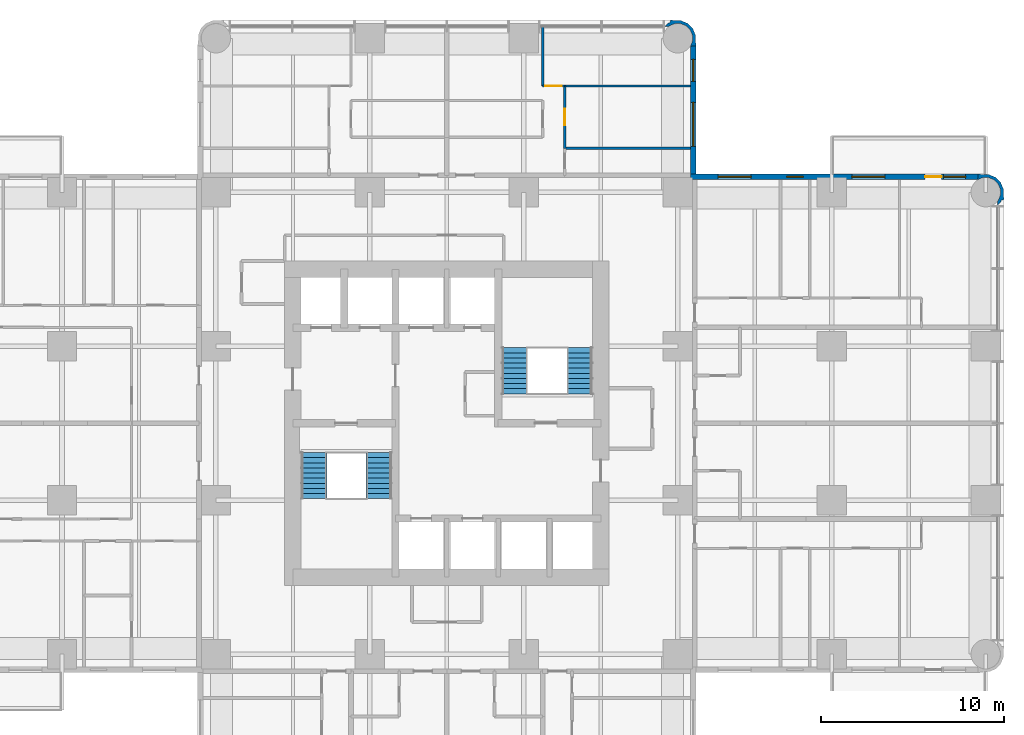
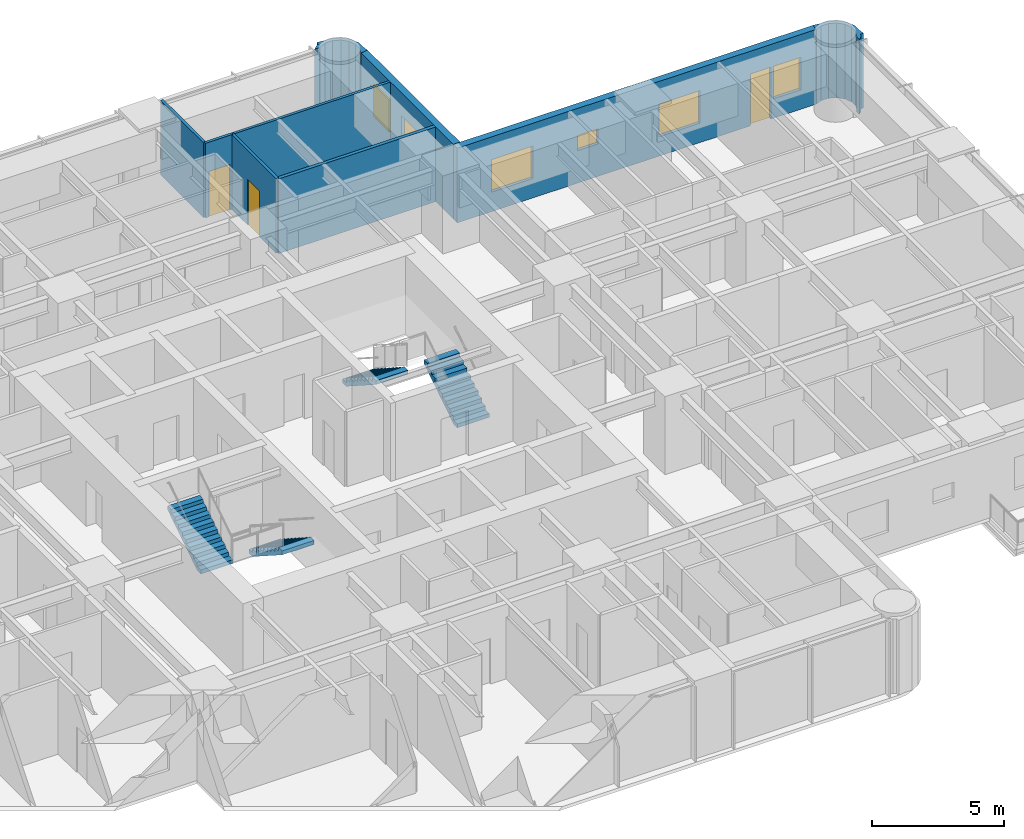
# One storey, part 12 of 14: 9 walls, 6 windows, 4 stair flights, 3 doors, 9 openings, 2 elements without a shape of their own.
"""IFC4 building model written with IfcOpenShell, lengths in metres."""

from ifc_helpers import new_model, si_unit, direction, frame, frame_2d, origin, place, context, subcontext, project, spatial, polyline, rectangle, outline, extrude, material, layer, layer_set, type_object, element, fill, aggregate, save


model = new_model("IFC4")

# Units and contexts
model_context = context("Model", 3, precision=1e-05, world=origin(), true_north=direction((0.0, 1.0)))
body_context = subcontext(model_context, "Body", "Model", "MODEL_VIEW")
ifc_project = project(units=[si_unit("LENGTHUNIT", "METRE"), si_unit("AREAUNIT", "SQUARE_METRE"), si_unit("VOLUMEUNIT", "CUBIC_METRE"), si_unit("PLANEANGLEUNIT", "RADIAN"), si_unit("MASSUNIT", "GRAM", prefix="KILO")], contexts=[model_context])

# Site, building, storey
site_placement = place(None, origin())
site = spatial("IfcSite", under=ifc_project, at=site_placement, CompositionType="ELEMENT")
building_placement = place(site_placement, origin())
building = spatial("IfcBuilding", under=site, at=building_placement, Name="Torre Alcanfor", CompositionType="ELEMENT")
storey_placement = place(building_placement, frame((0.0, 0.0, 155.699951171875)))
storey = spatial("IfcBuildingStorey", under=building, at=storey_placement, Name="L40", CompositionType="ELEMENT", Elevation=155.699951171875)

# Wall, opening, door
ifc_material_1 = material(Name="Gypsum board on steel studs", Category="steel")
ifc_layer_1 = layer(ifc_material_1, 0.1201171875)
ifc_layer_set_1 = layer_set([ifc_layer_1], Name="Apartment partition 120")
wall_type_1 = type_object("IfcWallType", Name="Apartment partition 120", PredefinedType="PARTITIONING", material=ifc_layer_set_1)
wall_1_placement = place(storey_placement, frame((35.8291015625, 47.800048828125, 0.0), z_axis=(0.0, 0.0, 1.0), x_axis=(0.0, -1.0, 0.0)))
wall_1 = element("IfcWall", 1, at=wall_1_placement, inside=storey, type_object=wall_type_1, Name="Partition L40-N2-LIVING / L40-N2-STUDY", PredefinedType="PARTITIONING", context=body_context, shape_type="SweptSolid", body=[
    extrude(rectangle(XDim=3.400146484375, YDim=0.1201171875, at=frame_2d((1.7001953125, 0.0))), origin(), (0.0, 0.0, 1.0), 3.449951171875),
])
opening_1_placement = place(wall_1_placement, frame((1.25, 0.0, 0.0)))
opening_1 = element("IfcOpeningElement", 2, at=opening_1_placement, cuts=wall_1, Name="Opening D-R1", PredefinedType="OPENING", context=body_context, shape_type="SweptSolid", body=[
    extrude(rectangle(XDim=0.89990234375, YDim=2.10009765625, at=frame_2d((0.449951171875, 1.050048828125))), frame((0.0, 0.070068359375, 0.0), z_axis=(0.0, -1.0, 0.0), x_axis=(1.0, 0.0, 0.0)), (0.0, 0.0, 1.0), 0.14013671875),
])
ifc_material_2 = material(Name="Timber", Category="wood")
door_type_1 = type_object("IfcDoorType", Name="Internal door 900x2100", OperationType="SINGLE_SWING_LEFT", PredefinedType="DOOR", material=ifc_material_2)
door_1_placement = place(opening_1_placement, origin())
door_1 = element("IfcDoor", 3, at=door_1_placement, inside=storey, type_object=door_type_1, Name="Door L40-N2 study", OperationType="SINGLE_SWING_LEFT", OverallHeight=2.10009765625, OverallWidth=0.89990234375, PredefinedType="DOOR", context=body_context, shape_type="SweptSolid", body=[
    extrude(rectangle(XDim=0.89990234375, YDim=2.10009765625, at=frame_2d((0.449951171875, 1.050048828125))), frame((0.0, 0.02490234375, 0.0), z_axis=(0.0, -1.0, 0.0), x_axis=(1.0, 0.0, 0.0)), (0.0, 0.0, 1.0), 0.050048828125),
])
fill(opening_1, door_1)

# Wall
wall_2_placement = place(storey_placement, frame((34.62890625, 51.050048828125, 0.0), z_axis=(0.0, 0.0, 1.0), x_axis=(0.0, -1.0, 0.0)))
element("IfcWall", 4, at=wall_2_placement, inside=storey, type_object=wall_type_1, Name="Partition L40-N2-LIVING / L40-N2-MASTER", PredefinedType="PARTITIONING", context=body_context, shape_type="SweptSolid", body=[
    extrude(rectangle(XDim=3.25, YDim=0.1201171875, at=frame_2d((1.625, 0.0))), origin(), (0.0, 0.0, 1.0), 3.449951171875),
])

# Wall, opening, door
wall_3_placement = place(storey_placement, frame((34.62890625, 47.800048828125, 0.0), z_axis=(0.0, 0.0, 1.0), x_axis=(1.0, 0.0, 0.0)))
wall_3 = element("IfcWall", 5, at=wall_3_placement, inside=storey, type_object=wall_type_1, Name="Partition L40-N2-LIVING / L40-N2-MASTER", PredefinedType="PARTITIONING", context=body_context, shape_type="SweptSolid", body=[
    extrude(rectangle(XDim=1.2001953125, YDim=0.1201171875, at=frame_2d((0.60009765625, 0.0))), origin(), (0.0, 0.0, 1.0), 3.449951171875),
])
opening_2_placement = place(wall_3_placement, frame((0.15087890625, 0.0, 0.0)))
opening_2 = element("IfcOpeningElement", 6, at=opening_2_placement, cuts=wall_3, Name="Opening D-R1", PredefinedType="OPENING", context=body_context, shape_type="SweptSolid", body=[
    extrude(rectangle(XDim=0.89990234375, YDim=2.10009765625, at=frame_2d((0.449951171875, 1.050048828125))), frame((0.0, 0.070068359375, 0.0), z_axis=(0.0, -1.0, 0.0), x_axis=(1.0, 0.0, 0.0)), (0.0, 0.0, 1.0), 0.14013671875),
])
door_2_placement = place(opening_2_placement, origin())
door_2 = element("IfcDoor", 7, at=door_2_placement, inside=storey, type_object=door_type_1, Name="Door L40-N2 master", OperationType="SINGLE_SWING_LEFT", OverallHeight=2.10009765625, OverallWidth=0.89990234375, PredefinedType="DOOR", context=body_context, shape_type="SweptSolid", body=[
    extrude(rectangle(XDim=0.89990234375, YDim=2.10009765625, at=frame_2d((0.449951171875, 1.050048828125))), frame((0.0, 0.02490234375, 0.0), z_axis=(0.0, -1.0, 0.0), x_axis=(1.0, 0.0, 0.0)), (0.0, 0.0, 1.0), 0.050048828125),
])
fill(opening_2, door_2)

# Wall
wall_4_placement = place(storey_placement, frame((35.8291015625, 47.800048828125, 0.0), z_axis=(0.0, 0.0, 1.0), x_axis=(1.0, 0.0, 0.0)))
element("IfcWall", 8, at=wall_4_placement, inside=storey, type_object=wall_type_1, Name="Partition L40-N2-STUDY / L40-N2-MASTER", PredefinedType="PARTITIONING", context=body_context, shape_type="SweptSolid", body=[
    extrude(rectangle(XDim=6.870849609375, YDim=0.1201171875, at=frame_2d((3.435546875, 0.0))), origin(), (0.0, 0.0, 1.0), 3.449951171875),
])

# Wall, openings, door, windows
ifc_material_3 = material(Name="Limestone cladding", Category="masonry")
ifc_layer_2 = layer(ifc_material_3, 0.0400390625, Name="Facing")
ifc_material_4 = material(Name="Ventilated air cavity")
ifc_layer_3 = layer(ifc_material_4, 0.02001953125, ventilated=True, Name="Ventilated joint")
ifc_material_5 = material(Name="Mineral wool insulation", Category="insulation")
ifc_layer_4 = layer(ifc_material_5, 0.10009765625, Name="Insulation")
ifc_material_6 = material(Name="Concrete f'c 35 MPa", Category="concrete")
ifc_layer_5 = layer(ifc_material_6, 0.139892578125, Name="Backing")
ifc_layer_set_2 = layer_set([ifc_layer_2, ifc_layer_3, ifc_layer_4, ifc_layer_5], Name="External wall stone-clad 300")
wall_type_2 = type_object("IfcWallType", Name="External wall stone-clad 300", PredefinedType="SOLIDWALL", material=ifc_layer_set_2)
wall_5_placement = place(storey_placement, frame((58.39990234375, 42.85009765625, 0.0), z_axis=(0.0, 0.0, 1.0), x_axis=(-1.0, 0.0, 0.0)))
wall_5 = element("IfcWall", 9, at=wall_5_placement, inside=storey, type_object=wall_type_2, Name="External wall L40 9", PredefinedType="SOLIDWALL", context=body_context, shape_type="SweptSolid", body=[
    extrude(rectangle(XDim=15.699951171875, YDim=0.300048828125, at=frame_2d((7.85009765625, 0.0))), origin(), (0.0, 0.0, 1.0), 3.449951171875),
])
opening_3_placement = place(wall_5_placement, frame((12.39990234375, 0.0, 0.89990234375)))
opening_3 = element("IfcOpeningElement", 10, at=opening_3_placement, cuts=wall_5, Name="Opening W2", PredefinedType="OPENING", context=body_context, shape_type="SweptSolid", body=[
    extrude(rectangle(XDim=1.800048828125, YDim=1.5, at=frame_2d((0.89990234375, 0.75))), frame((0.0, 0.159912109375, 0.0), z_axis=(0.0, -1.0, 0.0), x_axis=(1.0, 0.0, 0.0)), (0.0, 0.0, 1.0), 0.320068359375),
])
opening_4_placement = place(wall_5_placement, frame((9.550048828125, 0.0, 1.5)))
opening_4 = element("IfcOpeningElement", 11, at=opening_4_placement, cuts=wall_5, Name="Opening W3", PredefinedType="OPENING", context=body_context, shape_type="SweptSolid", body=[
    extrude(rectangle(XDim=0.89990234375, YDim=0.699951171875, at=frame_2d((0.449951171875, 0.35009765625))), frame((0.0, 0.159912109375, 0.0), z_axis=(0.0, -1.0, 0.0), x_axis=(1.0, 0.0, 0.0)), (0.0, 0.0, 1.0), 0.320068359375),
])
opening_5_placement = place(wall_5_placement, frame((5.10009765625, 0.0, 0.89990234375)))
opening_5 = element("IfcOpeningElement", 12, at=opening_5_placement, cuts=wall_5, Name="Opening W2", PredefinedType="OPENING", context=body_context, shape_type="SweptSolid", body=[
    extrude(rectangle(XDim=1.800048828125, YDim=1.5, at=frame_2d((0.89990234375, 0.75))), frame((0.0, 0.159912109375, 0.0), z_axis=(0.0, -1.0, 0.0), x_axis=(1.0, 0.0, 0.0)), (0.0, 0.0, 1.0), 0.320068359375),
])
opening_6_placement = place(wall_5_placement, frame((2.0, 0.0, 0.0)))
opening_6 = element("IfcOpeningElement", 13, at=opening_6_placement, cuts=wall_5, Name="Opening D-B1", PredefinedType="OPENING", context=body_context, shape_type="SweptSolid", body=[
    extrude(rectangle(XDim=0.89990234375, YDim=2.39990234375, at=frame_2d((0.449951171875, 1.199951171875))), frame((0.0, 0.159912109375, 0.0), z_axis=(0.0, -1.0, 0.0), x_axis=(1.0, 0.0, 0.0)), (0.0, 0.0, 1.0), 0.320068359375),
])
opening_7_placement = place(wall_5_placement, frame((0.699951171875, 0.0, 0.89990234375)))
opening_7 = element("IfcOpeningElement", 14, at=opening_7_placement, cuts=wall_5, Name="Opening W4", PredefinedType="OPENING", context=body_context, shape_type="SweptSolid", body=[
    extrude(rectangle(XDim=1.199951171875, YDim=1.5, at=frame_2d((0.60009765625, 0.75))), frame((0.0, 0.159912109375, 0.0), z_axis=(0.0, -1.0, 0.0), x_axis=(1.0, 0.0, 0.0)), (0.0, 0.0, 1.0), 0.320068359375),
])
ifc_material_7 = material(Name="Aluminium and glass", Category="aluminium")
door_type_2 = type_object("IfcDoorType", Name="Balcony door glazed 900x2400", OperationType="SINGLE_SWING_LEFT", PredefinedType="DOOR", material=ifc_material_7)
door_3_placement = place(opening_6_placement, origin())
door_3 = element("IfcDoor", 15, at=door_3_placement, inside=storey, type_object=door_type_2, Name="Balcony door L40-E1", OperationType="SINGLE_SWING_RIGHT", OverallHeight=2.39990234375, OverallWidth=0.89990234375, PredefinedType="DOOR", context=body_context, shape_type="SweptSolid", body=[
    extrude(rectangle(XDim=0.89990234375, YDim=2.39990234375, at=frame_2d((0.449951171875, 1.199951171875))), frame((0.0, 0.02490234375, 0.0), z_axis=(0.0, -1.0, 0.0), x_axis=(1.0, 0.0, 0.0)), (0.0, 0.0, 1.0), 0.050048828125),
])
fill(opening_6, door_3)
ifc_material_8 = material(Name="Aluminium frame with clear double glazing", Category="aluminium")
window_type_1 = type_object("IfcWindowType", Name="Window bathroom 900x700", PartitioningType="SINGLE_PANEL", PredefinedType="WINDOW", material=ifc_material_8)
window_1_placement = place(opening_4_placement, origin())
window_1 = element("IfcWindow", 16, at=window_1_placement, inside=storey, type_object=window_type_1, Name="Window W3 L40-E1", OverallHeight=0.699951171875, OverallWidth=0.89990234375, PartitioningType="SINGLE_PANEL", PredefinedType="WINDOW", context=body_context, shape_type="SweptSolid", body=[
    extrude(rectangle(XDim=0.89990234375, YDim=0.699951171875, at=frame_2d((0.449951171875, 0.35009765625))), frame((0.0, 0.030029296875, 0.0), z_axis=(0.0, -1.0, 0.0), x_axis=(1.0, 0.0, 0.0)), (0.0, 0.0, 1.0), 0.06005859375),
])
fill(opening_4, window_1)
ifc_material_9 = material(Name="Aluminium frame with clear double glazing", Category="aluminium")
window_type_2 = type_object("IfcWindowType", Name="Window bedroom 1200x1500", PartitioningType="SINGLE_PANEL", PredefinedType="WINDOW", material=ifc_material_9)
window_2_placement = place(opening_7_placement, origin())
window_2 = element("IfcWindow", 17, at=window_2_placement, inside=storey, type_object=window_type_2, Name="Window W4 L40-E1", OverallHeight=1.5, OverallWidth=1.199951171875, PartitioningType="SINGLE_PANEL", PredefinedType="WINDOW", context=body_context, shape_type="SweptSolid", body=[
    extrude(rectangle(XDim=1.199951171875, YDim=1.5, at=frame_2d((0.60009765625, 0.75))), frame((0.0, 0.030029296875, 0.0), z_axis=(0.0, -1.0, 0.0), x_axis=(1.0, 0.0, 0.0)), (0.0, 0.0, 1.0), 0.06005859375),
])
fill(opening_7, window_2)
ifc_material_10 = material(Name="Aluminium frame with clear double glazing", Category="aluminium")
window_type_3 = type_object("IfcWindowType", Name="Window bedroom 1800x1500", PartitioningType="SINGLE_PANEL", PredefinedType="WINDOW", material=ifc_material_10)
window_3_placement = place(opening_3_placement, origin())
window_3 = element("IfcWindow", 18, at=window_3_placement, inside=storey, type_object=window_type_3, Name="Window W2 L40-E1", OverallHeight=1.5, OverallWidth=1.800048828125, PartitioningType="SINGLE_PANEL", PredefinedType="WINDOW", context=body_context, shape_type="SweptSolid", body=[
    extrude(rectangle(XDim=1.800048828125, YDim=1.5, at=frame_2d((0.89990234375, 0.75))), frame((0.0, 0.030029296875, 0.0), z_axis=(0.0, -1.0, 0.0), x_axis=(1.0, 0.0, 0.0)), (0.0, 0.0, 1.0), 0.06005859375),
])
fill(opening_3, window_3)
window_4_placement = place(opening_5_placement, origin())
window_4 = element("IfcWindow", 19, at=window_4_placement, inside=storey, type_object=window_type_3, Name="Window W2 L40-E1", OverallHeight=1.5, OverallWidth=1.800048828125, PartitioningType="SINGLE_PANEL", PredefinedType="WINDOW", context=body_context, shape_type="SweptSolid", body=[
    extrude(rectangle(XDim=1.800048828125, YDim=1.5, at=frame_2d((0.89990234375, 0.75))), frame((0.0, 0.030029296875, 0.0), z_axis=(0.0, -1.0, 0.0), x_axis=(1.0, 0.0, 0.0)), (0.0, 0.0, 1.0), 0.06005859375),
])
fill(opening_5, window_4)

# Wall, openings, windows
wall_6_placement = place(storey_placement, frame((42.85009765625, 43.0, 0.0), z_axis=(0.0, 0.0, 1.0), x_axis=(0.0, 1.0, 0.0)))
wall_6 = element("IfcWall", 20, at=wall_6_placement, inside=storey, type_object=wall_type_2, Name="External wall L40 10", PredefinedType="SOLIDWALL", context=body_context, shape_type="SweptSolid", body=[
    extrude(rectangle(XDim=7.0, YDim=0.300048828125, at=frame_2d((3.5, 0.0))), origin(), (0.0, 0.0, 1.0), 3.449951171875),
])
opening_8_placement = place(wall_6_placement, frame((1.5, 0.0, 0.89990234375)))
opening_8 = element("IfcOpeningElement", 21, at=opening_8_placement, cuts=wall_6, Name="Opening W1", PredefinedType="OPENING", context=body_context, shape_type="SweptSolid", body=[
    extrude(rectangle(XDim=2.39990234375, YDim=1.5, at=frame_2d((1.199951171875, 0.75))), frame((0.0, 0.159912109375, 0.0), z_axis=(0.0, -1.0, 0.0), x_axis=(1.0, 0.0, 0.0)), (0.0, 0.0, 1.0), 0.320068359375),
])
opening_9_placement = place(wall_6_placement, frame((5.050048828125, 0.0, 0.89990234375)))
opening_9 = element("IfcOpeningElement", 22, at=opening_9_placement, cuts=wall_6, Name="Opening W4", PredefinedType="OPENING", context=body_context, shape_type="SweptSolid", body=[
    extrude(rectangle(XDim=1.199951171875, YDim=1.5, at=frame_2d((0.60009765625, 0.75))), frame((0.0, 0.159912109375, 0.0), z_axis=(0.0, -1.0, 0.0), x_axis=(1.0, 0.0, 0.0)), (0.0, 0.0, 1.0), 0.320068359375),
])
window_5_placement = place(opening_9_placement, origin())
window_5 = element("IfcWindow", 23, at=window_5_placement, inside=storey, type_object=window_type_2, Name="Window W4 L40-N2", OverallHeight=1.5, OverallWidth=1.199951171875, PartitioningType="SINGLE_PANEL", PredefinedType="WINDOW", context=body_context, shape_type="SweptSolid", body=[
    extrude(rectangle(XDim=1.199951171875, YDim=1.5, at=frame_2d((0.60009765625, 0.75))), frame((0.0, 0.030029296875, 0.0), z_axis=(0.0, -1.0, 0.0), x_axis=(1.0, 0.0, 0.0)), (0.0, 0.0, 1.0), 0.06005859375),
])
fill(opening_9, window_5)
ifc_material_11 = material(Name="Aluminium frame with clear double glazing", Category="aluminium")
window_type_4 = type_object("IfcWindowType", Name="Window bedroom 2400x1500", PartitioningType="SINGLE_PANEL", PredefinedType="WINDOW", material=ifc_material_11)
window_6_placement = place(opening_8_placement, origin())
window_6 = element("IfcWindow", 24, at=window_6_placement, inside=storey, type_object=window_type_4, Name="Window W1 L40-N2", OverallHeight=1.5, OverallWidth=2.39990234375, PartitioningType="SINGLE_PANEL", PredefinedType="WINDOW", context=body_context, shape_type="SweptSolid", body=[
    extrude(rectangle(XDim=2.39990234375, YDim=1.5, at=frame_2d((1.199951171875, 0.75))), frame((0.0, 0.030029296875, 0.0), z_axis=(0.0, -1.0, 0.0), x_axis=(1.0, 0.0, 0.0)), (0.0, 0.0, 1.0), 0.06005859375),
])
fill(opening_8, window_6)

# Walls
ifc_layer_6 = layer(ifc_material_3, 0.0400390625, Name="Facing")
ifc_layer_7 = layer(ifc_material_4, 0.02001953125, ventilated=True, Name="Ventilated joint")
ifc_layer_8 = layer(ifc_material_5, 0.10009765625, Name="Insulation")
ifc_layer_9 = layer(ifc_material_6, 0.139892578125, Name="Backing")
ifc_layer_set_3 = layer_set([ifc_layer_6, ifc_layer_7, ifc_layer_8, ifc_layer_9], Name="Rounded corner pier stone-clad 300")
wall_type_3 = type_object("IfcWallType", Name="Rounded corner pier stone-clad 300", PredefinedType="SOLIDWALL", material=ifc_layer_set_3)
wall_7_placement = place(storey_placement, frame((59.395317512, 41.351928198, 0.0), z_axis=(0.0, 0.0, 1.0), x_axis=(0.93923434088, 0.343276641956, 0.0)))
element("IfcWall", 25, at=wall_7_placement, inside=storey, type_object=wall_type_3, Name="Corner pier L40 18", PredefinedType="SOLIDWALL", context=body_context, shape_type="SweptSolid", body=[
    extrude(outline(polyline([(0.5319791374717469, 0.3931546875748424), (0.6305370795958255, 0.662817672163305), (0.614285462759775, 1.044364627998893), (0.4533652442516045, 1.3906676424071163), (0.17222000156622597, 1.6491237258576117), (-0.09744298302223653, 1.7476816679816904), (-0.36918355555989557, 1.8896284089825286), (-0.509101456401082, 1.6213052972671853), (-0.49052773042177455, 1.6145168675800676), (-0.47941981662998623, 1.6086375342973744), (-0.2113919059229058, 1.6201101578142136), (0.08785145707704622, 1.5107410128550955), (0.32257352025202113, 1.2952455132706726), (0.4567838912150332, 1.0060128786275908), (0.47036434537540095, 0.687566849311498), (0.36107900819019806, 0.38855279157054984), (0.14535420334677107, 0.1539145361694899), (0.10800994465551556, 0.13637103018492347), (0.030906792653685306, -0.07458980809856762), (0.2410056377422186, 0.023039004395991533), (0.3334055822831027, 0.12365495968313633), (0.46532832919806827, 0.0941544704520565), (0.5319791374717469, 0.3931546875748424)])), origin(), (0.0, 0.0, 1.0), 3.449951171875),
])
wall_8_placement = place(storey_placement, frame((42.817059488, 50.073176205, 0.0), z_axis=(0.0, 0.0, 1.0), x_axis=(0.343276641956, 0.93923434088, 0.0)))
element("IfcWall", 26, at=wall_8_placement, inside=storey, type_object=wall_type_3, Name="Corner pier L40 19", PredefinedType="SOLIDWALL", context=body_context, shape_type="SweptSolid", body=[
    extrude(outline(polyline([(0.2655808672444785, -0.0550807599050476), (0.5354731570919448, 0.04356098999294611), (0.8166183997773234, 0.30201707344344164), (0.9775386182854939, 0.6483200878516648), (0.9937902351215443, 1.0298670436872528), (0.8952322929974657, 1.2995300282757154), (0.8283521794647835, 1.5984464376245864), (0.6966587378088214, 1.5690297561674216), (0.6042587932679374, 1.6696457114545662), (0.39415994817940425, 1.7672745239491254), (0.47126310018123446, 1.5563136856656343), (0.50860735887249, 1.538770179681068), (0.7241028584569131, 1.304048116506093), (0.833388195642116, 1.0050340587651447), (0.8200370467407522, 0.686671837222967), (0.68582667577774, 0.3974392025798854), (0.4511046126027651, 0.18194370299546214), (0.15186124960281305, 0.07257455803634424), (-0.11616666110426738, 0.08404718155318341), (-0.12750388015505948, 0.07808404049657515), (-0.14607760613436685, 0.07129561080945748), (-0.0059304000341767055, -0.19694369313197083), (0.2655808672444785, -0.0550807599050476)])), origin(), (0.0, 0.0, 1.0), 3.449951171875),
])
ifc_material_12 = material(Name="Cement board on steel studs", Category="steel")
ifc_layer_10 = layer(ifc_material_12, 0.14990234375)
ifc_layer_set_4 = layer_set([ifc_layer_10], Name="Wet area partition 150")
wall_type_4 = type_object("IfcWallType", Name="Wet area partition 150", PredefinedType="PARTITIONING", material=ifc_layer_set_4)
wall_9_placement = place(storey_placement, frame((35.8291015625, 44.39990234375, 0.0), z_axis=(0.0, 0.0, 1.0), x_axis=(1.0, 0.0, 0.0)))
element("IfcWall", 27, at=wall_9_placement, inside=storey, type_object=wall_type_4, Name="Partition L40-N2-BATH / L40-N2-STUDY", PredefinedType="PARTITIONING", context=body_context, shape_type="SweptSolid", body=[
    extrude(rectangle(XDim=6.870849609375, YDim=0.14990234375, at=frame_2d((3.435546875, 0.0))), origin(), (0.0, 0.0, 1.0), 3.449951171875),
])

# Stair, stair flights
ifc_material_13 = material(Name="Concrete f'c 35 MPa", Category="concrete")
stair_type_1 = type_object("IfcStairType", Name="Exit stair S1 1400 wide", PredefinedType="HALF_TURN_STAIR", material=ifc_material_13)
stair_1_placement = place(storey_placement, origin())
stair_1 = element("IfcStair", 28, at=stair_1_placement, inside=storey, type_object=stair_type_1, Name="Stair S1 L40 to L41", PredefinedType="HALF_TURN_STAIR")
ifc_material_14 = material(Name="Concrete f'c 35 MPa", Category="concrete")
stair_flight_type = type_object("IfcStairFlightType", Name="Stair flight 1400", PredefinedType="STRAIGHT", material=ifc_material_14)
stair_flight_1_placement = place(storey_placement, frame((25.699951171875, 27.800048828125, 0.0), z_axis=(0.0, 0.0, 1.0), x_axis=(0.0, -1.0, 0.0)))
stair_flight_1 = element("IfcStairFlight", 29, at=stair_flight_1_placement, type_object=stair_flight_type, Name="S1 flight 1", NumberOfRisers=10, NumberOfTreads=9, PredefinedType="STRAIGHT", RiserHeight=0.18, TreadLength=0.28, context=body_context, shape_type="SweptSolid", body=[
    extrude(outline(polyline([(0.0, 0.0), (0.0, 0.179931640625), (0.280029296875, 0.179931640625), (0.280029296875, 0.360107421875), (0.56005859375, 0.360107421875), (0.56005859375, 0.5400390625), (0.840087890625, 0.5400390625), (0.840087890625, 0.719970703125), (1.1201171875, 0.719970703125), (1.1201171875, 0.89990234375), (1.39990234375, 0.89990234375), (1.39990234375, 1.080078125), (1.679931640625, 1.080078125), (1.679931640625, 1.260009765625), (1.9599609375, 1.260009765625), (1.9599609375, 1.43994140625), (2.239990234375, 1.43994140625), (2.239990234375, 1.6201171875), (2.52001953125, 1.6201171875), (2.52001953125, 1.800048828125), (2.52001953125, 1.44189453125), (0.277099609375, 0.0), (0.0, 0.0)])), frame((0.0, 0.699951171875, 0.0), z_axis=(0.0, -1.0, 0.0), x_axis=(1.0, 0.0, 0.0)), (0.0, 0.0, 1.0), 1.39990234375),
])
stair_flight_2_placement = place(storey_placement, frame((22.14990234375, 25.280029296875, 1.800048828125), z_axis=(0.0, 0.0, 1.0), x_axis=(0.0, 1.0, 0.0)))
stair_flight_2 = element("IfcStairFlight", 30, at=stair_flight_2_placement, type_object=stair_flight_type, Name="S1 flight 2", NumberOfRisers=10, NumberOfTreads=9, PredefinedType="STRAIGHT", RiserHeight=0.18, TreadLength=0.28, context=body_context, shape_type="SweptSolid", body=[
    extrude(outline(polyline([(0.0, 0.0), (0.0, 0.179931640625), (0.280029296875, 0.179931640625), (0.280029296875, 0.360107421875), (0.56005859375, 0.360107421875), (0.56005859375, 0.5400390625), (0.840087890625, 0.5400390625), (0.840087890625, 0.719970703125), (1.1201171875, 0.719970703125), (1.1201171875, 0.89990234375), (1.39990234375, 0.89990234375), (1.39990234375, 1.080078125), (1.679931640625, 1.080078125), (1.679931640625, 1.260009765625), (1.9599609375, 1.260009765625), (1.9599609375, 1.43994140625), (2.239990234375, 1.43994140625), (2.239990234375, 1.6201171875), (2.52001953125, 1.6201171875), (2.52001953125, 1.800048828125), (2.52001953125, 1.44189453125), (0.277099609375, 0.0), (0.0, 0.0)])), frame((0.0, 0.699951171875, 0.0), z_axis=(0.0, -1.0, 0.0), x_axis=(1.0, 0.0, 0.0)), (0.0, 0.0, 1.0), 1.39990234375),
])
aggregate(stair_1, [stair_flight_1, stair_flight_2])

ifc_material_15 = material(Name="Concrete f'c 35 MPa", Category="concrete")
stair_type_2 = type_object("IfcStairType", Name="Exit stair S2 1400 wide", PredefinedType="HALF_TURN_STAIR", material=ifc_material_15)
stair_2_placement = place(storey_placement, origin())
stair_2 = element("IfcStair", 31, at=stair_2_placement, inside=storey, type_object=stair_type_2, Name="Stair S2 L40 to L41", PredefinedType="HALF_TURN_STAIR")
stair_flight_3_placement = place(storey_placement, frame((36.64990234375, 31.0, 0.0), z_axis=(0.0, 0.0, 1.0), x_axis=(0.0, 1.0, 0.0)))
stair_flight_3 = element("IfcStairFlight", 32, at=stair_flight_3_placement, type_object=stair_flight_type, Name="S2 flight 1", NumberOfRisers=10, NumberOfTreads=9, PredefinedType="STRAIGHT", RiserHeight=0.18, TreadLength=0.28, context=body_context, shape_type="SweptSolid", body=[
    extrude(outline(polyline([(0.0, 0.0), (0.0, 0.179931640625), (0.280029296875, 0.179931640625), (0.280029296875, 0.360107421875), (0.56005859375, 0.360107421875), (0.56005859375, 0.5400390625), (0.840087890625, 0.5400390625), (0.840087890625, 0.719970703125), (1.1201171875, 0.719970703125), (1.1201171875, 0.89990234375), (1.39990234375, 0.89990234375), (1.39990234375, 1.080078125), (1.679931640625, 1.080078125), (1.679931640625, 1.260009765625), (1.9599609375, 1.260009765625), (1.9599609375, 1.43994140625), (2.239990234375, 1.43994140625), (2.239990234375, 1.6201171875), (2.52001953125, 1.6201171875), (2.52001953125, 1.800048828125), (2.52001953125, 1.44189453125), (0.277099609375, 0.0), (0.0, 0.0)])), frame((0.0, 0.699951171875, 0.0), z_axis=(0.0, -1.0, 0.0), x_axis=(1.0, 0.0, 0.0)), (0.0, 0.0, 1.0), 1.39990234375),
])
stair_flight_4_placement = place(storey_placement, frame((33.10009765625, 33.52001953125, 1.800048828125), z_axis=(0.0, 0.0, 1.0), x_axis=(0.0, -1.0, 0.0)))
stair_flight_4 = element("IfcStairFlight", 33, at=stair_flight_4_placement, type_object=stair_flight_type, Name="S2 flight 2", NumberOfRisers=10, NumberOfTreads=9, PredefinedType="STRAIGHT", RiserHeight=0.18, TreadLength=0.28, context=body_context, shape_type="SweptSolid", body=[
    extrude(outline(polyline([(0.0, 0.0), (0.0, 0.179931640625), (0.280029296875, 0.179931640625), (0.280029296875, 0.360107421875), (0.56005859375, 0.360107421875), (0.56005859375, 0.5400390625), (0.840087890625, 0.5400390625), (0.840087890625, 0.719970703125), (1.1201171875, 0.719970703125), (1.1201171875, 0.89990234375), (1.39990234375, 0.89990234375), (1.39990234375, 1.080078125), (1.679931640625, 1.080078125), (1.679931640625, 1.260009765625), (1.9599609375, 1.260009765625), (1.9599609375, 1.43994140625), (2.239990234375, 1.43994140625), (2.239990234375, 1.6201171875), (2.52001953125, 1.6201171875), (2.52001953125, 1.800048828125), (2.52001953125, 1.44189453125), (0.277099609375, 0.0), (0.0, 0.0)])), frame((0.0, 0.699951171875, 0.0), z_axis=(0.0, -1.0, 0.0), x_axis=(1.0, 0.0, 0.0)), (0.0, 0.0, 1.0), 1.39990234375),
])
aggregate(stair_2, [stair_flight_3, stair_flight_4])

save(model, "model.ifc")
